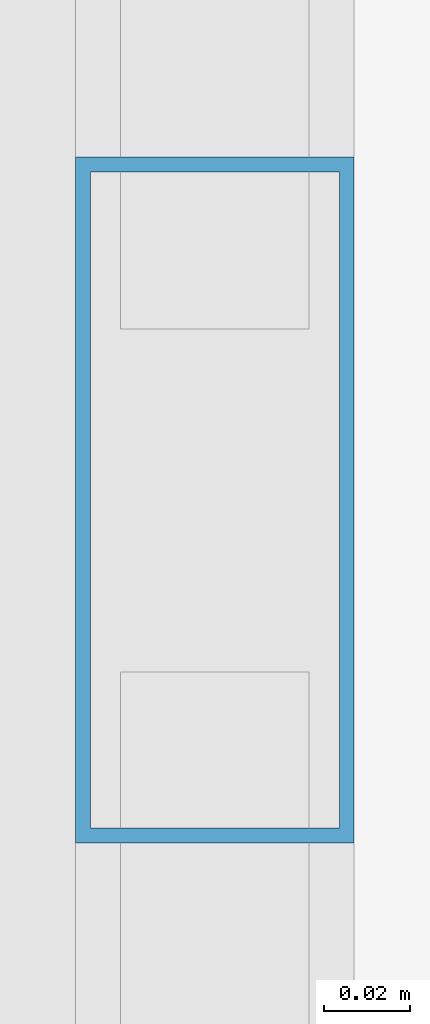
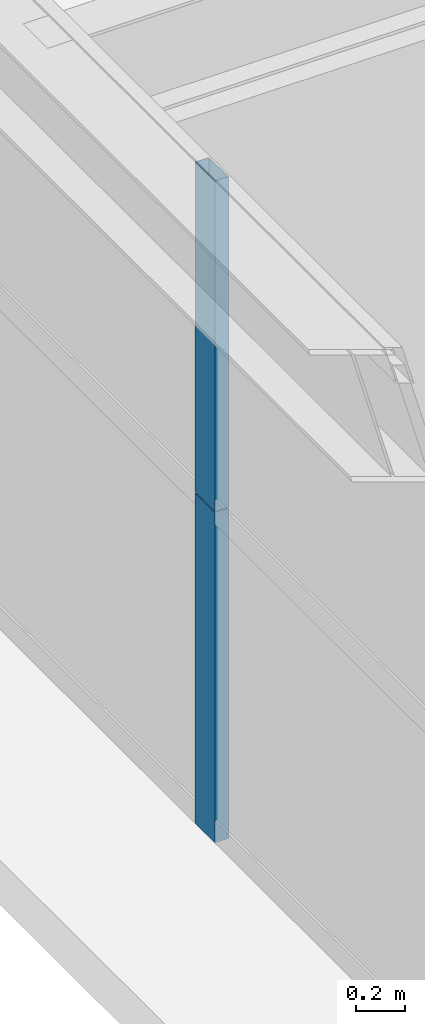
# One storey, part 8 of 38: 2 members, 1 element without a shape of its own.
"""IFC4 building model written with IfcOpenShell, lengths in metres."""

from ifc_helpers import new_model, si_unit, direction, frame, origin, origin_2d, place, context, subcontext, project, spatial, hollow_rectangle, extrude, source, transform, mapped, material, layer, layer_set, material_profile, profile_set, type_object, element, aggregate, save


model = new_model("IFC4")

# Units and contexts
model_context = context("Model", 3, precision=1e-05, world=origin(), true_north=direction((0.0, 1.0)))
body_context = subcontext(model_context, "Body", "Model", "MODEL_VIEW")
ifc_project = project(units=[si_unit("LENGTHUNIT", "METRE"), si_unit("AREAUNIT", "SQUARE_METRE"), si_unit("VOLUMEUNIT", "CUBIC_METRE"), si_unit("PLANEANGLEUNIT", "RADIAN"), si_unit("MASSUNIT", "GRAM", prefix="KILO"), si_unit("THERMODYNAMICTEMPERATUREUNIT", "KELVIN"), si_unit("POWERUNIT", "WATT")], contexts=[model_context])

# Site, building, storey
site_placement = place(None, origin())
site = spatial("IfcSite", under=ifc_project, at=site_placement, CompositionType="ELEMENT")
building_placement = place(site_placement, origin())
building = spatial("IfcBuilding", under=site, at=building_placement, Name="Yuzanri Waterfront Tower", CompositionType="ELEMENT")
storey_placement = place(building_placement, frame((0.0, 0.0, 195.0)))
storey = spatial("IfcBuildingStorey", under=building, at=storey_placement, Name="L51", CompositionType="ELEMENT", Elevation=195.0)

# Curtain wall, members
ifc_material_1 = material(Name="Anodized Architectural Bronze", Category="metal")
ifc_layer = layer(ifc_material_1, 0.159912109375)
ifc_layer_set = layer_set([ifc_layer], Name="Anodized Architectural Bronze")
curtain_wall_type = type_object("IfcCurtainWallType", Name="Anodized Bronze Mid-Rise Residential Acoustic Unitized Curtain Wall 7200", PredefinedType="NOTDEFINED", material=ifc_layer_set)
curtain_wall_placement = place(storey_placement, origin())
curtain_wall = element("IfcCurtainWall", 1, at=curtain_wall_placement, inside=storey, type_object=curtain_wall_type, Name="L51 Curtain Wall CW-L51-WL", PredefinedType="NOTDEFINED")
ifc_material_2 = material(Name="Anodized Architectural Bronze", Category="metal")
ifc_material_profile = material_profile(ifc_material_2, hollow_rectangle(XDim=0.06494140625, YDim=0.159912109375, WallThickness=0.00341796875, at=origin_2d()), Name="CWM 65x160")
ifc_profile_set = profile_set([ifc_material_profile], Name="Anodized Architectural Bronze")
member_type = type_object("IfcMemberType", Name="Anodized Bronze Upper-Zone Curtain-Wall Mullion 65x160", PredefinedType="MULLION", material=ifc_profile_set)
shared_shape = source(origin(), body_context, "Body", "SweptSolid", [
    extrude(hollow_rectangle(XDim=0.06494140625, YDim=0.159912109375, WallThickness=0.00341796875, at=origin_2d()), origin(), (0.0, 0.0, 1.0), 1.637939453125),
])
member_1_placement = place(storey_placement, frame((15.050048828125, 18.22509765625, 0.0), z_axis=(0.0, 0.0, 1.0), x_axis=(1.0, 0.0, 0.0)))
member_1 = element("IfcMember", 2, at=member_1_placement, type_object=member_type, Name="CW-L51-WL Lower Mullion 01", PredefinedType="MULLION", context=body_context, shape_type="MappedRepresentation", body=[
    mapped(shared_shape, transform((0.0, 0.0, 0.0), scale=1.0)),
])
member_2_placement = place(storey_placement, frame((15.050048828125, 18.22509765625, 1.64208984375), z_axis=(0.0, 0.0, 1.0), x_axis=(1.0, 0.0, 0.0)))
member_2 = element("IfcMember", 3, at=member_2_placement, type_object=member_type, Name="CW-L51-WL Upper Mullion 01", PredefinedType="MULLION", context=body_context, shape_type="MappedRepresentation", body=[
    mapped(shared_shape, transform((0.0, 0.0, 0.0), scale=1.0)),
])
aggregate(curtain_wall, [member_1, member_2])

save(model, "model.ifc")
